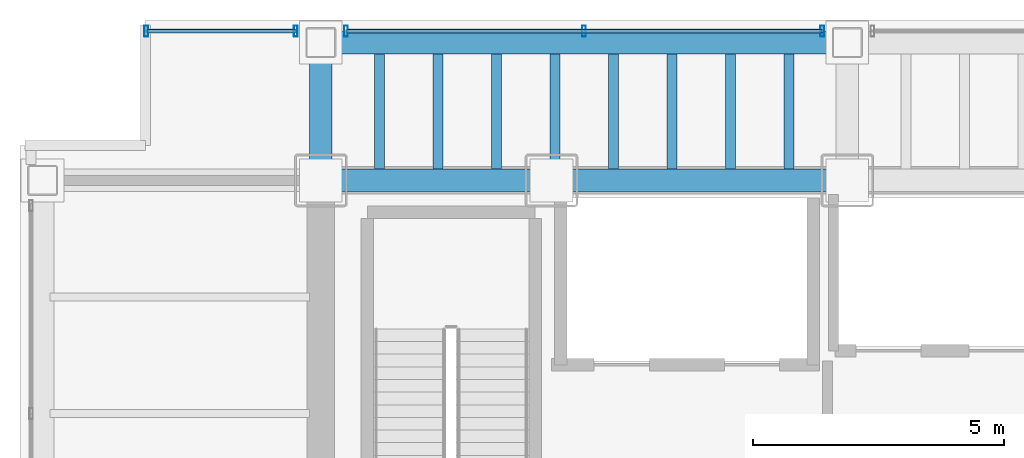
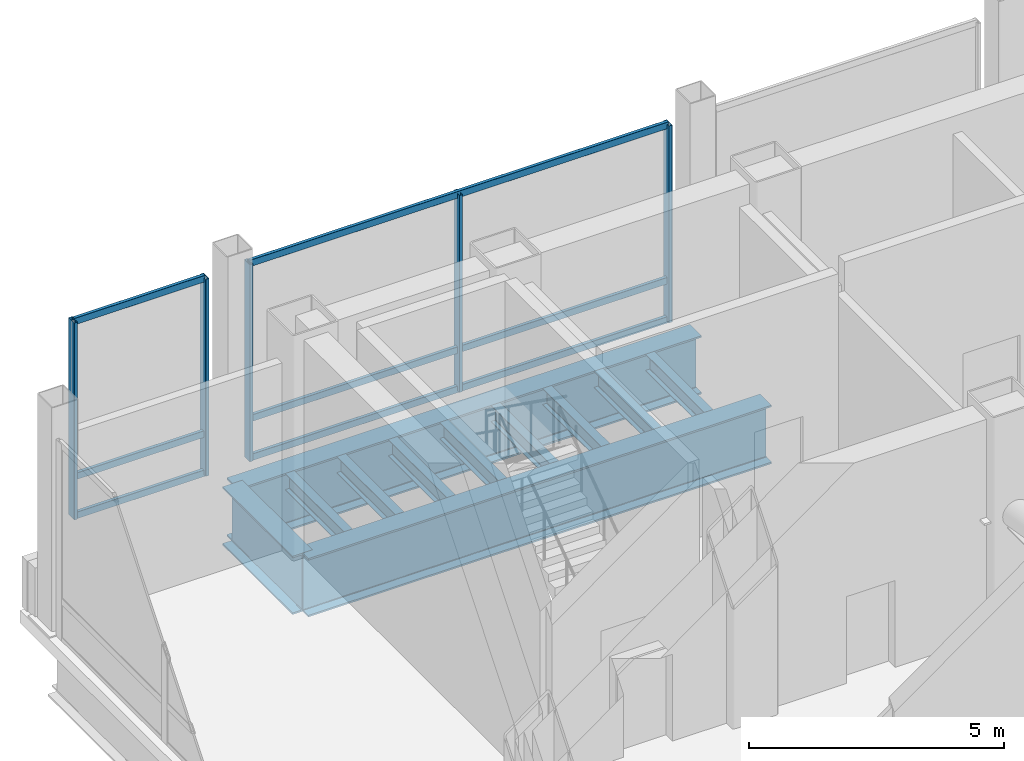
# One storey, part 8 of 20: 11 beams, 11 members, 2 elements without a shape of their own.
"""IFC4 building model written with IfcOpenShell, lengths in metres."""

from ifc_helpers import new_model, si_unit, direction, frame, origin, origin_2d, place, context, subcontext, project, spatial, hollow_rectangle, i_section, extrude, material, material_profile, profile_set, type_object, element, aggregate, save


model = new_model("IFC4")

# Units and contexts
model_context = context("Model", 3, precision=1e-05, world=origin(), true_north=direction((0.0, 1.0)))
body_context = subcontext(model_context, "Body", "Model", "MODEL_VIEW")
ifc_project = project(units=[si_unit("LENGTHUNIT", "METRE"), si_unit("AREAUNIT", "SQUARE_METRE"), si_unit("VOLUMEUNIT", "CUBIC_METRE"), si_unit("PLANEANGLEUNIT", "RADIAN"), si_unit("MASSUNIT", "GRAM", prefix="KILO")], contexts=[model_context])

# Site, building, storey
site_placement = place(None, origin())
site = spatial("IfcSite", under=ifc_project, at=site_placement, CompositionType="ELEMENT")
building_placement = place(site_placement, origin())
building = spatial("IfcBuilding", under=site, at=building_placement, Name="Noeulbin Bourse Tower", CompositionType="ELEMENT")
storey_placement = place(building_placement, frame((0.0, 0.0, 100.60009765625)))
storey = spatial("IfcBuildingStorey", under=building, at=storey_placement, Name="L25", CompositionType="ELEMENT", Elevation=100.60009765625)

# Beams
ifc_material_1 = material(Name="Steel S355", Category="steel")
ifc_material_profile_1 = material_profile(ifc_material_1, i_section(OverallWidth=0.199951171875, OverallDepth=0.39990234375, WebThickness=0.008056640625, FlangeThickness=0.012939453125, FilletRadius=0.01611328125, at=origin_2d()), Name="H-400x200x8x13", Category="LoadBearing")
ifc_profile_set_1 = profile_set([ifc_material_profile_1], Name="Steel S355")
beam_type_1 = type_object("IfcBeamType", Name="BM-SEC-400", PredefinedType="BEAM", material=ifc_profile_set_1)
for number, where, z_axis, x_axis, name in (
    (1, (14.666748046875, 38.52490234375, -0.5), (0.0, 1.0, 0.0), (-1.0, 0.0, 0.0), "Tower Composite Joist L25-03"),
    (2, (15.833251953125, 38.52490234375, -0.5), (0.0, 1.0, 0.0), (-1.0, 0.0, 0.0), "Tower Composite Joist L25-06"),
    (3, (17.0, 38.52490234375, -0.5), (0.0, 1.0, 0.0), (-1.0, 0.0, 0.0), "Tower Composite Joist L25-09"),
    (4, (18.166748046875, 38.52490234375, -0.5), (0.0, 1.0, 0.0), (-1.0, 0.0, 0.0), "Tower Composite Joist L25-12"),
    (5, (19.333251953125, 38.52490234375, -0.5), (0.0, 1.0, 0.0), (-1.0, 0.0, 0.0), "Tower Composite Joist L25-15"),
    (6, (20.5, 38.52490234375, -0.5), (0.0, 1.0, 0.0), (-1.0, 0.0, 0.0), "Tower Composite Joist L25-18"),
    (7, (21.666748046875, 38.52490234375, -0.5), (0.0, 1.0, 0.0), (-1.0, 0.0, 0.0), "Tower Composite Joist L25-21"),
    (8, (22.833251953125, 38.52490234375, -0.5), (0.0, 1.0, 0.0), (-1.0, 0.0, 0.0), "Tower Composite Joist L25-24"),
):
    element("IfcBeam", number, at=place(storey_placement, frame(where, z_axis=z_axis, x_axis=x_axis)), inside=storey, type_object=beam_type_1, Name=name, PredefinedType="BEAM", context=body_context, shape_type="SweptSolid", body=[
        extrude(i_section(OverallWidth=0.199951171875, OverallDepth=0.39990234375, WebThickness=0.008056640625, FlangeThickness=0.012939453125, FilletRadius=0.01611328125, at=origin_2d()), origin(), (0.0, 0.0, 1.0), 2.300048828125),
    ])
ifc_material_2 = material(Name="Steel S460", Category="steel")
ifc_material_profile_2 = material_profile(ifc_material_2, i_section(OverallWidth=0.449951171875, OverallDepth=1.39990234375, WebThickness=0.02392578125, FlangeThickness=0.0400390625, FilletRadius=0.02392578125, at=origin_2d()), Name="PG-1400x450x24x40", Category="LoadBearing")
ifc_profile_set_2 = profile_set([ifc_material_profile_2], Name="Steel S460")
beam_type_2 = type_object("IfcBeamType", Name="BM-TRF-1400", PredefinedType="USERDEFINED", material=ifc_profile_set_2)
beam_1_placement = place(storey_placement, frame((13.5, 38.300048828125, -1.0), z_axis=(1.0, 0.0, 0.0), x_axis=(0.0, 1.0, 0.0)))
element("IfcBeam", 9, at=beam_1_placement, inside=storey, type_object=beam_type_2, Name="Tower Primary Girder EW L25-3.2", ObjectType="GIRDER", PredefinedType="USERDEFINED", context=body_context, shape_type="SweptSolid", body=[
    extrude(i_section(OverallWidth=0.449951171875, OverallDepth=1.39990234375, WebThickness=0.02392578125, FlangeThickness=0.0400390625, FilletRadius=0.02392578125, at=origin_2d()), origin(), (0.0, 0.0, 1.0), 10.5),
])
beam_2_placement = place(storey_placement, frame((13.5, 38.300048828125, -1.0), z_axis=(0.0, 1.0, 0.0), x_axis=(-1.0, 0.0, 0.0)))
element("IfcBeam", 10, at=beam_2_placement, inside=storey, type_object=beam_type_2, Name="Tower Primary Girder NS L25-1.4", ObjectType="GIRDER", PredefinedType="USERDEFINED", context=body_context, shape_type="SweptSolid", body=[
    extrude(i_section(OverallWidth=0.449951171875, OverallDepth=1.39990234375, WebThickness=0.02392578125, FlangeThickness=0.0400390625, FilletRadius=0.02392578125, at=origin_2d()), origin(), (0.0, 0.0, 1.0), 2.75),
])
beam_3_placement = place(storey_placement, frame((13.5, 41.050048828125, -1.0), z_axis=(1.0, 0.0, 0.0), x_axis=(0.0, 1.0, 0.0)))
element("IfcBeam", 11, at=beam_3_placement, inside=storey, type_object=beam_type_2, Name="North Spandrel L25-1", ObjectType="GIRDER", PredefinedType="USERDEFINED", context=body_context, shape_type="SweptSolid", body=[
    extrude(i_section(OverallWidth=0.449951171875, OverallDepth=1.39990234375, WebThickness=0.02392578125, FlangeThickness=0.0400390625, FilletRadius=0.02392578125, at=origin_2d()), origin(), (0.0, 0.0, 1.0), 10.5),
])

# Curtain wall, members
ifc_material_3 = material(Name="Translucent Ceramic-Fritted Glass", Category="glass")
curtain_wall_type = type_object("IfcCurtainWallType", Name="CW-SYS-5", PredefinedType="NOTDEFINED", material=ifc_material_3)
curtain_wall_1_placement = place(storey_placement, origin())
curtain_wall_1 = element("IfcCurtainWall", 12, at=curtain_wall_1_placement, inside=storey, type_object=curtain_wall_type, Name="Unitised Curtain Wall CW-L25-N-S1", PredefinedType="NOTDEFINED")
ifc_material_4 = material(Name="Anodised Aluminium 6063-T6", Category="aluminium")
ifc_material_profile_3 = material_profile(ifc_material_4, hollow_rectangle(XDim=0.074951171875, YDim=0.219970703125, WallThickness=0.0048828125, InnerFilletRadius=0.00244140625, OuterFilletRadius=0.0048828125, at=origin_2d()), Name="ALU-MULL-75x220x5", Category="LoadBearing")
ifc_profile_set_3 = profile_set([ifc_material_profile_3], Name="Anodised Aluminium 6063-T6")
member_type_1 = type_object("IfcMemberType", Name="CW-SYS-5-MUL", PredefinedType="MULLION", material=ifc_profile_set_3)
member_1_placement = place(storey_placement, frame((10.02001953125, 41.280029296875, -0.02001953125), z_axis=(0.0, 0.0, 1.0), x_axis=(1.0, 0.0, 0.0)))
member_1 = element("IfcMember", 13, at=member_1_placement, type_object=member_type_1, Name="Curtain Wall Mullion CW-L25-N-S1-M00", PredefinedType="MULLION", context=body_context, shape_type="SweptSolid", body=[
    extrude(hollow_rectangle(XDim=0.074951171875, YDim=0.219970703125, WallThickness=0.0048828125, InnerFilletRadius=0.00244140625, OuterFilletRadius=0.0048828125, at=origin_2d()), origin(), (0.0, 0.0, 1.0), 4.719970703125),
])
member_2_placement = place(storey_placement, frame((13.0, 41.280029296875, -0.02001953125), z_axis=(0.0, 0.0, 1.0), x_axis=(1.0, 0.0, 0.0)))
member_2 = element("IfcMember", 14, at=member_2_placement, type_object=member_type_1, Name="Curtain Wall Mullion CW-L25-N-S1-M01", PredefinedType="MULLION", context=body_context, shape_type="SweptSolid", body=[
    extrude(hollow_rectangle(XDim=0.074951171875, YDim=0.219970703125, WallThickness=0.0048828125, InnerFilletRadius=0.00244140625, OuterFilletRadius=0.0048828125, at=origin_2d()), origin(), (0.0, 0.0, 1.0), 4.719970703125),
])

curtain_wall_2_placement = place(storey_placement, origin())
curtain_wall_2 = element("IfcCurtainWall", 15, at=curtain_wall_2_placement, inside=storey, type_object=curtain_wall_type, Name="Unitised Curtain Wall CW-L25-N-S2", PredefinedType="NOTDEFINED")
member_3_placement = place(storey_placement, frame((14.0, 41.280029296875, -0.02001953125), z_axis=(0.0, 0.0, 1.0), x_axis=(1.0, 0.0, 0.0)))
member_3 = element("IfcMember", 16, at=member_3_placement, type_object=member_type_1, Name="Curtain Wall Mullion CW-L25-N-S2-M00", PredefinedType="MULLION", context=body_context, shape_type="SweptSolid", body=[
    extrude(hollow_rectangle(XDim=0.074951171875, YDim=0.219970703125, WallThickness=0.0048828125, InnerFilletRadius=0.00244140625, OuterFilletRadius=0.0048828125, at=origin_2d()), origin(), (0.0, 0.0, 1.0), 4.719970703125),
])
member_4_placement = place(storey_placement, frame((18.75, 41.280029296875, -0.02001953125), z_axis=(0.0, 0.0, 1.0), x_axis=(1.0, 0.0, 0.0)))
member_4 = element("IfcMember", 17, at=member_4_placement, type_object=member_type_1, Name="Curtain Wall Mullion CW-L25-N-S2-M01", PredefinedType="MULLION", context=body_context, shape_type="SweptSolid", body=[
    extrude(hollow_rectangle(XDim=0.074951171875, YDim=0.219970703125, WallThickness=0.0048828125, InnerFilletRadius=0.00244140625, OuterFilletRadius=0.0048828125, at=origin_2d()), origin(), (0.0, 0.0, 1.0), 4.719970703125),
])
member_5_placement = place(storey_placement, frame((23.5, 41.280029296875, -0.02001953125), z_axis=(0.0, 0.0, 1.0), x_axis=(1.0, 0.0, 0.0)))
member_5 = element("IfcMember", 18, at=member_5_placement, type_object=member_type_1, Name="Curtain Wall Mullion CW-L25-N-S2-M02", PredefinedType="MULLION", context=body_context, shape_type="SweptSolid", body=[
    extrude(hollow_rectangle(XDim=0.074951171875, YDim=0.219970703125, WallThickness=0.0048828125, InnerFilletRadius=0.00244140625, OuterFilletRadius=0.0048828125, at=origin_2d()), origin(), (0.0, 0.0, 1.0), 4.719970703125),
])

# Member
ifc_material_profile_4 = material_profile(ifc_material_4, hollow_rectangle(XDim=0.074951171875, YDim=0.159912109375, WallThickness=0.0048828125, InnerFilletRadius=0.00244140625, OuterFilletRadius=0.0048828125, at=origin_2d()), Name="ALU-TRAN-75x160x5", Category="LoadBearing")
ifc_profile_set_4 = profile_set([ifc_material_profile_4], Name="Anodised Aluminium 6063-T6")
member_type_2 = type_object("IfcMemberType", Name="CW-SYS-5-TRN", PredefinedType="USERDEFINED", material=ifc_profile_set_4)
member_6_placement = place(storey_placement, frame((10.030029296875, 41.280029296875, 0.010009765625), z_axis=(1.0, 0.0, 0.0), x_axis=(0.0, 1.0, 0.0)))
member_6 = element("IfcMember", 19, at=member_6_placement, type_object=member_type_2, Name="Curtain Wall Transom CW-L25-N-S1-T00", ObjectType="TRANSOM", PredefinedType="USERDEFINED", context=body_context, shape_type="SweptSolid", body=[
    extrude(hollow_rectangle(XDim=0.074951171875, YDim=0.159912109375, WallThickness=0.0048828125, InnerFilletRadius=0.00244140625, OuterFilletRadius=0.0048828125, at=origin_2d()), origin(), (0.0, 0.0, 1.0), 2.9599609375),
])

member_7_placement = place(storey_placement, frame((10.030029296875, 41.280029296875, 0.949951171875), z_axis=(1.0, 0.0, 0.0), x_axis=(0.0, 1.0, 0.0)))
member_7 = element("IfcMember", 20, at=member_7_placement, type_object=member_type_2, Name="Curtain Wall Transom CW-L25-N-S1-T01", ObjectType="TRANSOM", PredefinedType="USERDEFINED", context=body_context, shape_type="SweptSolid", body=[
    extrude(hollow_rectangle(XDim=0.074951171875, YDim=0.159912109375, WallThickness=0.0048828125, InnerFilletRadius=0.00244140625, OuterFilletRadius=0.0048828125, at=origin_2d()), origin(), (0.0, 0.0, 1.0), 2.9599609375),
])

member_8_placement = place(storey_placement, frame((10.030029296875, 41.280029296875, 4.669921875), z_axis=(1.0, 0.0, 0.0), x_axis=(0.0, 1.0, 0.0)))
member_8 = element("IfcMember", 21, at=member_8_placement, type_object=member_type_2, Name="Curtain Wall Transom CW-L25-N-S1-T02", ObjectType="TRANSOM", PredefinedType="USERDEFINED", context=body_context, shape_type="SweptSolid", body=[
    extrude(hollow_rectangle(XDim=0.074951171875, YDim=0.159912109375, WallThickness=0.0048828125, InnerFilletRadius=0.00244140625, OuterFilletRadius=0.0048828125, at=origin_2d()), origin(), (0.0, 0.0, 1.0), 2.9599609375),
])

aggregate(curtain_wall_1, [member_1, member_2, member_6, member_7, member_8])

member_9_placement = place(storey_placement, frame((14.010009765625, 41.280029296875, 0.010009765625), z_axis=(1.0, 0.0, 0.0), x_axis=(0.0, 1.0, 0.0)))
member_9 = element("IfcMember", 22, at=member_9_placement, type_object=member_type_2, Name="Curtain Wall Transom CW-L25-N-S2-T00", ObjectType="TRANSOM", PredefinedType="USERDEFINED", context=body_context, shape_type="SweptSolid", body=[
    extrude(hollow_rectangle(XDim=0.074951171875, YDim=0.159912109375, WallThickness=0.0048828125, InnerFilletRadius=0.00244140625, OuterFilletRadius=0.0048828125, at=origin_2d()), origin(), (0.0, 0.0, 1.0), 9.47998046875),
])

member_10_placement = place(storey_placement, frame((14.010009765625, 41.280029296875, 0.949951171875), z_axis=(1.0, 0.0, 0.0), x_axis=(0.0, 1.0, 0.0)))
member_10 = element("IfcMember", 23, at=member_10_placement, type_object=member_type_2, Name="Curtain Wall Transom CW-L25-N-S2-T01", ObjectType="TRANSOM", PredefinedType="USERDEFINED", context=body_context, shape_type="SweptSolid", body=[
    extrude(hollow_rectangle(XDim=0.074951171875, YDim=0.159912109375, WallThickness=0.0048828125, InnerFilletRadius=0.00244140625, OuterFilletRadius=0.0048828125, at=origin_2d()), origin(), (0.0, 0.0, 1.0), 9.47998046875),
])

member_11_placement = place(storey_placement, frame((14.010009765625, 41.280029296875, 4.669921875), z_axis=(1.0, 0.0, 0.0), x_axis=(0.0, 1.0, 0.0)))
member_11 = element("IfcMember", 24, at=member_11_placement, type_object=member_type_2, Name="Curtain Wall Transom CW-L25-N-S2-T02", ObjectType="TRANSOM", PredefinedType="USERDEFINED", context=body_context, shape_type="SweptSolid", body=[
    extrude(hollow_rectangle(XDim=0.074951171875, YDim=0.159912109375, WallThickness=0.0048828125, InnerFilletRadius=0.00244140625, OuterFilletRadius=0.0048828125, at=origin_2d()), origin(), (0.0, 0.0, 1.0), 9.47998046875),
])

aggregate(curtain_wall_2, [member_3, member_4, member_5, member_9, member_10, member_11])

save(model, "model.ifc")
